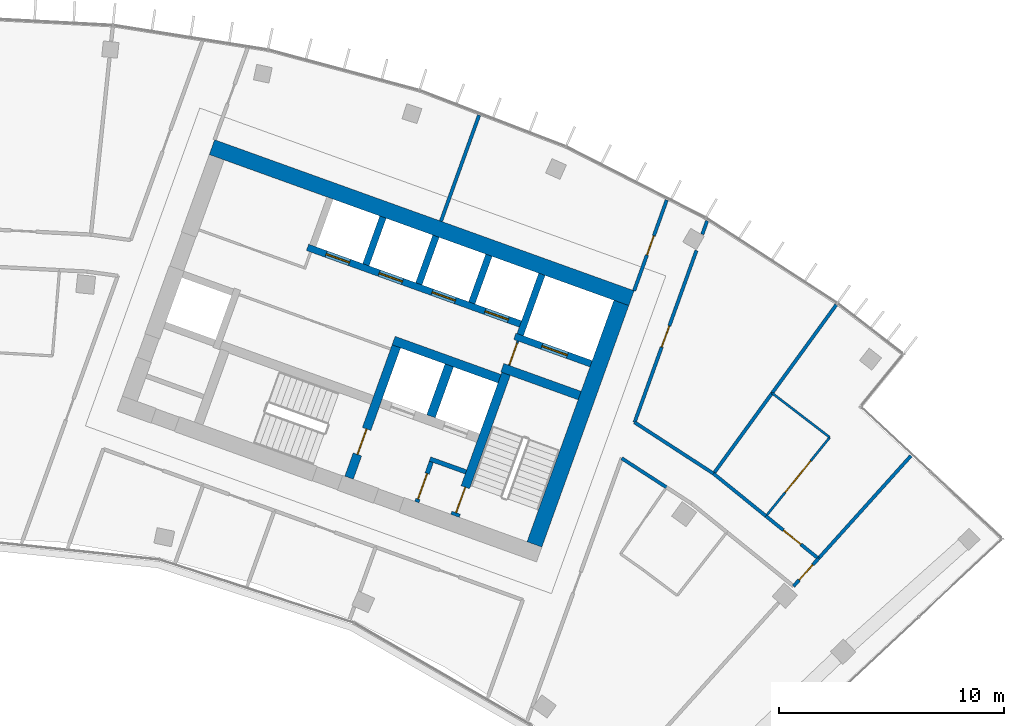
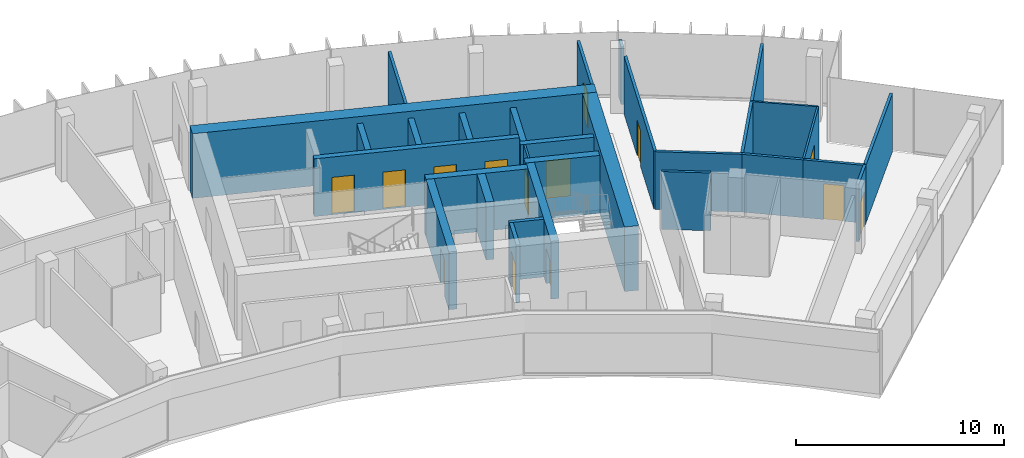
# One storey, part 17 of 19: 30 walls, 14 doors, 14 openings.
"""IFC4 building model written with IfcOpenShell, lengths in metres."""

import ifcopenshell
import ifcopenshell.guid

model = None  # the IFC model being written
_history = None  # IfcOwnerHistory: only IFC2X3 demands one
_inside = {}  # id of a spatial element -> (the spatial element, [elements in it])
_under = {}  # id of a project, library or spatial element -> (it, [spatial elements below it])
_declared = {}  # id of a project -> (the project, [libraries it declares])
_typed = {}  # id of a type object -> (the type object, [elements of that type])
_made_of = {}  # id of a material, layer set ... -> (it, [elements and type objects made of it])


def new_model(schema):
    """Start an empty IFC model of exactly this schema.

    Asked for "IFC4X3", IfcOpenShell would pick the latest addendum, in which some entities
    have other attributes; the version numbers below select the first issue.
    IFC2X3 requires an IfcOwnerHistory on every rooted entity: one is made here for all.
    """
    global model, _history
    if schema == "IFC4X3":
        model = ifcopenshell.file(schema_version=(4, 3, 0, 0))
    else:
        model = ifcopenshell.file(schema=schema)
    _inside.clear()
    _under.clear()
    _declared.clear()
    _typed.clear()
    _made_of.clear()
    _history = None
    if model.schema == "IFC2X3":
        org = make("IfcOrganization", Name="unknown")
        user = make(
            "IfcPersonAndOrganization",
            ThePerson=make("IfcPerson", FamilyName="unknown"),
            TheOrganization=org,
        )
        app = make(
            "IfcApplication",
            ApplicationDeveloper=org,
            Version="unknown",
            ApplicationFullName="unknown",
            ApplicationIdentifier="unknown",
        )
        _history = make(
            "IfcOwnerHistory",
            OwningUser=user,
            OwningApplication=app,
            ChangeAction="ADDED",
            CreationDate=0,
        )
    return model


def make(cls, **values):
    """One entity of the class cls with the attributes given. An attribute that is None is left unset."""
    return model.create_entity(
        cls, **{name: value for name, value in values.items() if value is not None}
    )


def rooted(cls, **values):
    """An entity with a GlobalId (a new one), such as an element, a storey or a relation."""
    return make(cls, GlobalId=ifcopenshell.guid.new(), OwnerHistory=_history, **values)


def si_unit(unit_type, name, prefix=None):
    """IfcSIUnit, for example si_unit("LENGTHUNIT", "METRE", prefix="MILLI")."""
    return make("IfcSIUnit", UnitType=unit_type, Prefix=prefix, Name=name)


def assignment(units):
    """IfcUnitAssignment: the units of a project."""
    return None if units is None else make("IfcUnitAssignment", Units=units)


def point(xyz):
    """IfcCartesianPoint."""
    return None if xyz is None else make("IfcCartesianPoint", Coordinates=xyz)


def direction(xyz):
    """IfcDirection."""
    return None if xyz is None else make("IfcDirection", DirectionRatios=xyz)


def frame(location, z_axis=None, x_axis=None):
    """IfcAxis2Placement3D, a coordinate frame: its origin and axes. An axis left out is left unset."""
    return make(
        "IfcAxis2Placement3D",
        Location=point(location),
        Axis=direction(z_axis),
        RefDirection=direction(x_axis),
    )


def frame_2d(location, x_axis=None):
    """IfcAxis2Placement2D, a coordinate frame in the plane: its origin and x axis."""
    return make(
        "IfcAxis2Placement2D", Location=point(location), RefDirection=direction(x_axis)
    )


def origin():
    """The frame at (0, 0, 0) with its axes left unset."""
    return frame((0.0, 0.0, 0.0))


def place(relative_to, where):
    """IfcLocalPlacement: puts the frame where relative to a parent placement (None: the world)."""
    return make(
        "IfcLocalPlacement", PlacementRelTo=relative_to, RelativePlacement=where
    )


def context(
    kind, dimensions, precision=None, world=None, true_north=None, identifier=None
):
    """IfcGeometricRepresentationContext, for example the 3D "Model" context."""
    return make(
        "IfcGeometricRepresentationContext",
        ContextIdentifier=identifier,
        ContextType=kind,
        CoordinateSpaceDimension=dimensions,
        Precision=precision,
        WorldCoordinateSystem=world,
        TrueNorth=true_north,
    )


def subcontext(parent, identifier, kind, view, scale=None):
    """IfcGeometricRepresentationSubContext, for example "Body" below "Model"."""
    return make(
        "IfcGeometricRepresentationSubContext",
        ContextIdentifier=identifier,
        ContextType=kind,
        ParentContext=parent,
        TargetScale=scale,
        TargetView=view,
    )


def project(units=None, contexts=None):
    """IfcProject with its units and contexts."""
    return rooted(
        "IfcProject",
        Name="project",
        RepresentationContexts=contexts,
        UnitsInContext=assignment(units),
    )


def spatial(cls, under=None, at=None, **own):
    """A site, building, storey or space (cls), placed at a placement, below another one or the project."""
    s = rooted(cls, ObjectPlacement=at, **own)
    if under is not None:
        _under.setdefault(under.id(), (under, []))[1].append(s)
    return s


def profile(cls, at=None, kind="AREA", **sizes):
    """A parametric profile (cls). Its sizes go by their IFC names, for example OverallWidth=200.0."""
    return make(cls, ProfileType=kind, Position=at, **sizes)


def rectangle(**sizes):
    """IfcRectangleProfileDef."""
    return profile("IfcRectangleProfileDef", **sizes)


def extrude(swept, where, along, depth):
    """IfcExtrudedAreaSolid: the profile swept, set in the frame where, extruded along a direction by depth."""
    return make(
        "IfcExtrudedAreaSolid",
        SweptArea=swept,
        Position=where,
        ExtrudedDirection=direction(along),
        Depth=depth,
    )


def shape(context_of_items, identifier, shape_type, items):
    """IfcShapeRepresentation: the items that make up one representation, for example the "Body"."""
    return make(
        "IfcShapeRepresentation",
        ContextOfItems=context_of_items,
        RepresentationIdentifier=identifier,
        RepresentationType=shape_type,
        Items=items,
    )


def material(Name=None, Category=None):
    """IfcMaterial."""
    return make("IfcMaterial", Name=Name, Category=Category)


def layer(
    of_material, thickness, ventilated=None, Name=None, Category=None, Priority=None
):
    """IfcMaterialLayer: one layer of a wall or slab, of a material (None: an air gap)."""
    return make(
        "IfcMaterialLayer",
        Material=of_material,
        LayerThickness=thickness,
        IsVentilated=ventilated,
        Name=Name,
        Category=Category,
        Priority=Priority,
    )


def layer_set(layers, Name=None):
    """IfcMaterialLayerSet."""
    return make("IfcMaterialLayerSet", MaterialLayers=layers, LayerSetName=Name)


def made_of(thing, what):
    """Note that an element or type object is made of a material, layer set ...; save() writes the relation."""
    if what is not None:
        _made_of.setdefault(what.id(), (what, []))[1].append(thing)
    return thing


def type_object(cls, material=None, **own):
    """A type object (cls), such as IfcWallType, which elements share."""
    return made_of(rooted(cls, **own), material)


def element(
    cls,
    number,
    at=None,
    inside=None,
    cuts=None,
    type_object=None,
    material=None,
    context=None,
    identifier="Body",
    shape_type=None,
    held_by="IfcProductDefinitionShape",
    body=None,
    shapes=None,
    **own,
):
    """One element of the class cls, such as IfcWall. Its Tag is "e" and its number.

    at: its placement. inside: the storey or other place that contains it. cuts: it is an
    opening in that element (IfcRelVoidsElement). A single representation is given by context,
    identifier, shape_type and body (its items); several are given by shapes. held_by: the class
    of the entity that holds the representations. save() writes the other relations.
    """
    e = rooted(cls, Tag="e%d" % number, ObjectPlacement=at, **own)
    if body is not None:
        shapes = [shape(context, identifier, shape_type, body)]
    if shapes is not None:
        e.Representation = make(held_by, Representations=shapes)
    if inside is not None:
        _inside.setdefault(inside.id(), (inside, []))[1].append(e)
    if cuts is not None:
        rooted(
            "IfcRelVoidsElement", RelatingBuildingElement=cuts, RelatedOpeningElement=e
        )
    if type_object is not None:
        _typed.setdefault(type_object.id(), (type_object, []))[1].append(e)
    return made_of(e, material)


def fill(opening, filler):
    """IfcRelFillsElement: the door or window that sits in an opening."""
    return rooted(
        "IfcRelFillsElement",
        RelatingOpeningElement=opening,
        RelatedBuildingElement=filler,
    )


def aggregate(whole, parts):
    """IfcRelAggregates: a whole, such as a stair, and the parts it consists of."""
    return rooted("IfcRelAggregates", RelatingObject=whole, RelatedObjects=parts)


def save(model, path):
    """Write the relations noted so far, then the file.

    IfcRelAggregates (storeys below a building ...), IfcRelContainedInSpatialStructure (elements
    in a storey), IfcRelDefinesByType, IfcRelAssociatesMaterial and IfcRelDeclares: one each for
    every whole, place, type object, material and project.
    """
    for whole, parts in _under.values():
        aggregate(whole, parts)
    for where, things in _inside.values():
        rooted(
            "IfcRelContainedInSpatialStructure",
            RelatedElements=things,
            RelatingStructure=where,
        )
    for kind, things in _typed.values():
        rooted("IfcRelDefinesByType", RelatedObjects=things, RelatingType=kind)
    for what, things in _made_of.values():
        rooted("IfcRelAssociatesMaterial", RelatedObjects=things, RelatingMaterial=what)
    for by, libraries in _declared.values():
        rooted("IfcRelDeclares", RelatingContext=by, RelatedDefinitions=libraries)
    model.write(path)


model = new_model("IFC4")

# Units and contexts
model_context = context("Model", 3, precision=1e-05, world=origin(), true_north=direction((0.0, 1.0)))
body_context = subcontext(model_context, "Body", "Model", "MODEL_VIEW")
ifc_project = project(units=[si_unit("LENGTHUNIT", "METRE"), si_unit("AREAUNIT", "SQUARE_METRE"), si_unit("VOLUMEUNIT", "CUBIC_METRE"), si_unit("PLANEANGLEUNIT", "RADIAN"), si_unit("MASSUNIT", "GRAM", prefix="KILO")], contexts=[model_context])

# Site, building, storey
site_placement = place(None, origin())
site = spatial("IfcSite", under=ifc_project, at=site_placement, CompositionType="ELEMENT")
building_placement = place(site_placement, origin())
building = spatial("IfcBuilding", under=site, at=building_placement, Name="Stone Belt Terrace Tower", CompositionType="ELEMENT")
storey_placement = place(building_placement, frame((0.0, 0.0, 303.60009765625)))
storey = spatial("IfcBuildingStorey", under=building, at=storey_placement, Name="L74", CompositionType="ELEMENT", Elevation=303.60009765625)

# Wall, opening, door
ifc_material_1 = material(Name="Plasterboard partition")
ifc_layer_1 = layer(ifc_material_1, 0.10009765625)
ifc_layer_set_1 = layer_set([ifc_layer_1], Name="Core partition 100")
wall_type_1 = type_object("IfcWallType", Name="Core partition 100", PredefinedType="PARTITIONING", material=ifc_layer_set_1)
wall_1_placement = place(storey_placement, frame((24.555908203125, 51.10400390625, 0.0), z_axis=(0.0, 0.0, 1.0), x_axis=(0.338621735342, 0.94092258999, 0.0)))
wall_1 = element("IfcWall", 1, at=wall_1_placement, inside=storey, type_object=wall_type_1, Name="Core B wall", PredefinedType="PARTITIONING", context=body_context, shape_type="SweptSolid", body=[
    extrude(rectangle(XDim=1.14990234375, YDim=0.10009765625, at=frame_2d((0.574951171875, 0.0))), origin(), (0.0, 0.0, 1.0), 3.39990234375),
])
opening_1_placement = place(wall_1_placement, frame((0.050048828125, 0.0, 0.0)))
opening_1 = element("IfcOpeningElement", 2, at=opening_1_placement, cuts=wall_1, Name="Opening L74-C14", PredefinedType="OPENING", context=body_context, shape_type="SweptSolid", body=[
    extrude(rectangle(XDim=1.0, YDim=2.10009765625, at=frame_2d((0.5, 1.050048828125))), frame((0.0, 0.06005859375, 0.0), z_axis=(0.0, -1.0, 0.0), x_axis=(1.0, 0.0, 0.0)), (0.0, 0.0, 1.0), 0.1201171875),
])
ifc_material_2 = material(Name="Timber door leaf", Category="wood")
door_type_1 = type_object("IfcDoorType", Name="Core room door 1000", OperationType="SINGLE_SWING_LEFT", PredefinedType="DOOR", material=ifc_material_2)
door_1_placement = place(opening_1_placement, origin())
door_1 = element("IfcDoor", 3, at=door_1_placement, inside=storey, type_object=door_type_1, Name="Service lift lobby door core B", OperationType="SINGLE_SWING_LEFT", OverallHeight=2.10009765625, OverallWidth=1.0, PredefinedType="DOOR", context=body_context, shape_type="SweptSolid", body=[
    extrude(rectangle(XDim=1.0, YDim=2.10009765625, at=frame_2d((0.5, 1.050048828125))), frame((0.0, 0.02490234375, 0.0), z_axis=(0.0, -1.0, 0.0), x_axis=(1.0, 0.0, 0.0)), (0.0, 0.0, 1.0), 0.050048828125),
])
fill(opening_1, door_1)

# Walls
ifc_material_3 = material(Name="Concrete B60", Category="concrete")
ifc_layer_2 = layer(ifc_material_3, 0.699951171875)
ifc_layer_set_2 = layer_set([ifc_layer_2], Name="Core wall 700 B60")
wall_type_2 = type_object("IfcWallType", Name="Core wall 700 B60", PredefinedType="SHEAR", material=ifc_layer_set_2)
wall_2_placement = place(storey_placement, frame((11.35791015625, 60.795654296875, 0.0), z_axis=(0.0, 0.0, 1.0), x_axis=(0.940919787944, -0.33862952124, 0.0)))
element("IfcWall", 4, at=wall_2_placement, inside=storey, type_object=wall_type_2, Name="Core B wall convex L74", PredefinedType="SHEAR", context=body_context, shape_type="SweptSolid", body=[
    extrude(rectangle(XDim=19.7998046875, YDim=0.699951171875, at=frame_2d((9.89990234375, 0.0))), origin(), (0.0, 0.0, 1.0), 3.7998046875),
])
wall_3_placement = place(storey_placement, frame((25.679931640625, 43.153564453125, 0.0), z_axis=(0.0, 0.0, 1.0), x_axis=(0.338625431531, 0.940921259788, 0.0)))
element("IfcWall", 5, at=wall_3_placement, inside=storey, type_object=wall_type_2, Name="Core B wall end_b L74", PredefinedType="SHEAR", context=body_context, shape_type="SweptSolid", body=[
    extrude(rectangle(XDim=11.400146484375, YDim=0.699951171875, at=frame_2d((5.7001953125, 0.0))), origin(), (0.0, 0.0, 1.0), 3.7998046875),
])
ifc_material_4 = material(Name="Concrete B80", Category="concrete")
ifc_layer_3 = layer(ifc_material_4, 0.39990234375)
ifc_layer_set_3 = layer_set([ifc_layer_3], Name="Fire-fighting lift shaft wall 400")
wall_type_3 = type_object("IfcWallType", Name="Fire-fighting lift shaft wall 400", PredefinedType="SHEAR", material=ifc_layer_set_3)
wall_4_placement = place(storey_placement, frame((24.130615234375, 50.512939453125, 0.0), z_axis=(0.0, 0.0, 1.0), x_axis=(-0.94091168377, 0.338652038744, 0.0)))
element("IfcWall", 6, at=wall_4_placement, inside=storey, type_object=wall_type_3, Name="Core B wall", PredefinedType="SHEAR", context=body_context, shape_type="SweptSolid", body=[
    extrude(rectangle(XDim=5.000244140625, YDim=0.39990234375, at=frame_2d((2.5, 0.0))), origin(), (0.0, 0.0, 1.0), 3.39990234375),
])
wall_5_placement = place(storey_placement, frame((21.0859375, 48.845458984375, 0.0), z_axis=(0.0, 0.0, 1.0), x_axis=(0.338629416206, 0.940919825745, 0.0)))
element("IfcWall", 7, at=wall_5_placement, inside=storey, type_object=wall_type_3, Name="Core B wall", PredefinedType="SHEAR", context=body_context, shape_type="SweptSolid", body=[
    extrude(rectangle(XDim=2.400146484375, YDim=0.39990234375, at=frame_2d((1.2001953125, 0.0))), origin(), (0.0, 0.0, 1.0), 3.39990234375),
])

# Wall, opening, door
ifc_layer_4 = layer(ifc_material_4, 0.300048828125)
ifc_layer_set_4 = layer_set([ifc_layer_4], Name="Lift shaft wall 300")
wall_type_4 = type_object("IfcWallType", Name="Lift shaft wall 300", PredefinedType="SHEAR", material=ifc_layer_set_4)
wall_6_placement = place(storey_placement, frame((28.195068359375, 51.17578125, 0.0), z_axis=(0.0, 0.0, 1.0), x_axis=(-0.940901243567, 0.338681044427, 0.0)))
wall_6 = element("IfcWall", 8, at=wall_6_placement, inside=storey, type_object=wall_type_4, Name="Core B wall", PredefinedType="SHEAR", context=body_context, shape_type="SweptSolid", body=[
    extrude(rectangle(XDim=3.599853515625, YDim=0.300048828125, at=frame_2d((1.7998046875, 0.0))), origin(), (0.0, 0.0, 1.0), 3.39990234375),
])
opening_2_placement = place(wall_6_placement, frame((1.1201171875, 0.0, 0.0)))
opening_2 = element("IfcOpeningElement", 9, at=opening_2_placement, cuts=wall_6, Name="Opening L74-LD14", PredefinedType="OPENING", context=body_context, shape_type="SweptSolid", body=[
    extrude(rectangle(XDim=1.199951171875, YDim=2.199951171875, at=frame_2d((0.60009765625, 1.10009765625))), frame((0.0, 0.159912109375, 0.0), z_axis=(0.0, -1.0, 0.0), x_axis=(1.0, 0.0, 0.0)), (0.0, 0.0, 1.0), 0.320068359375),
])
ifc_material_5 = material(Name="Stainless steel door leaf", Category="steel")
door_type_2 = type_object("IfcDoorType", Name="Landing door 1200", OperationType="SLIDING_TO_LEFT", PredefinedType="DOOR", material=ifc_material_5)
door_2_placement = place(opening_2_placement, origin())
door_2 = element("IfcDoor", 10, at=door_2_placement, inside=storey, type_object=door_type_2, Name="Landing door SV1 core B", OperationType="SLIDING_TO_LEFT", OverallHeight=2.199951171875, OverallWidth=1.199951171875, PredefinedType="DOOR", context=body_context, shape_type="SweptSolid", body=[
    extrude(rectangle(XDim=1.199951171875, YDim=2.199951171875, at=frame_2d((0.60009765625, 1.10009765625))), frame((0.0, 0.02490234375, 0.0), z_axis=(0.0, -1.0, 0.0), x_axis=(1.0, 0.0, 0.0)), (0.0, 0.0, 1.0), 0.050048828125),
])
fill(opening_2, door_2)

# Wall
wall_7_placement = place(storey_placement, frame((25.046875, 52.46826171875, 0.0), z_axis=(0.0, 0.0, 1.0), x_axis=(0.338549588058, 0.940948551423, 0.0)))
element("IfcWall", 11, at=wall_7_placement, inside=storey, type_object=wall_type_4, Name="Core B wall", PredefinedType="SHEAR", context=body_context, shape_type="SweptSolid", body=[
    extrude(rectangle(XDim=2.849853515625, YDim=0.300048828125, at=frame_2d((1.4248046875, 0.0))), origin(), (0.0, 0.0, 1.0), 3.39990234375),
])

# Wall, openings, doors
wall_8_placement = place(storey_placement, frame((25.05810546875, 52.9423828125, 0.0), z_axis=(0.0, 0.0, 1.0), x_axis=(-0.940917446785, 0.338636026339, 0.0)))
wall_8 = element("IfcWall", 12, at=wall_8_placement, inside=storey, type_object=wall_type_4, Name="Core B wall", PredefinedType="SHEAR", context=body_context, shape_type="SweptSolid", body=[
    extrude(rectangle(XDim=10.050048828125, YDim=0.300048828125, at=frame_2d((5.02490234375, 0.0))), origin(), (0.0, 0.0, 1.0), 3.39990234375),
])
opening_3_placement = place(wall_8_placement, frame((0.570068359375, 0.0, 0.0)))
opening_3 = element("IfcOpeningElement", 13, at=opening_3_placement, cuts=wall_8, Name="Opening L74-LD08", PredefinedType="OPENING", context=body_context, shape_type="SweptSolid", body=[
    extrude(rectangle(XDim=1.10009765625, YDim=2.199951171875, at=frame_2d((0.550048828125, 1.10009765625))), frame((0.0, 0.159912109375, 0.0), z_axis=(0.0, -1.0, 0.0), x_axis=(1.0, 0.0, 0.0)), (0.0, 0.0, 1.0), 0.320068359375),
])
opening_4_placement = place(wall_8_placement, frame((3.070068359375, 0.0, 0.0)))
opening_4 = element("IfcOpeningElement", 14, at=opening_4_placement, cuts=wall_8, Name="Opening L74-LD09", PredefinedType="OPENING", context=body_context, shape_type="SweptSolid", body=[
    extrude(rectangle(XDim=1.10009765625, YDim=2.199951171875, at=frame_2d((0.550048828125, 1.10009765625))), frame((0.0, 0.159912109375, 0.0), z_axis=(0.0, -1.0, 0.0), x_axis=(1.0, 0.0, 0.0)), (0.0, 0.0, 1.0), 0.320068359375),
])
opening_5_placement = place(wall_8_placement, frame((5.570068359375, 0.0, 0.0)))
opening_5 = element("IfcOpeningElement", 15, at=opening_5_placement, cuts=wall_8, Name="Opening L74-LD10", PredefinedType="OPENING", context=body_context, shape_type="SweptSolid", body=[
    extrude(rectangle(XDim=1.10009765625, YDim=2.199951171875, at=frame_2d((0.550048828125, 1.10009765625))), frame((0.0, 0.159912109375, 0.0), z_axis=(0.0, -1.0, 0.0), x_axis=(1.0, 0.0, 0.0)), (0.0, 0.0, 1.0), 0.320068359375),
])
opening_6_placement = place(wall_8_placement, frame((8.070068359375, 0.0, 0.0)))
opening_6 = element("IfcOpeningElement", 16, at=opening_6_placement, cuts=wall_8, Name="Opening L74-LD11", PredefinedType="OPENING", context=body_context, shape_type="SweptSolid", body=[
    extrude(rectangle(XDim=1.10009765625, YDim=2.199951171875, at=frame_2d((0.550048828125, 1.10009765625))), frame((0.0, 0.159912109375, 0.0), z_axis=(0.0, -1.0, 0.0), x_axis=(1.0, 0.0, 0.0)), (0.0, 0.0, 1.0), 0.320068359375),
])
door_type_3 = type_object("IfcDoorType", Name="Landing door 1100", OperationType="SLIDING_TO_LEFT", PredefinedType="DOOR", material=ifc_material_5)
door_3_placement = place(opening_3_placement, origin())
door_3 = element("IfcDoor", 17, at=door_3_placement, inside=storey, type_object=door_type_3, Name="Landing door HR1 core B", OperationType="SLIDING_TO_LEFT", OverallHeight=2.199951171875, OverallWidth=1.10009765625, PredefinedType="DOOR", context=body_context, shape_type="SweptSolid", body=[
    extrude(rectangle(XDim=1.10009765625, YDim=2.199951171875, at=frame_2d((0.550048828125, 1.10009765625))), frame((0.0, 0.02490234375, 0.0), z_axis=(0.0, -1.0, 0.0), x_axis=(1.0, 0.0, 0.0)), (0.0, 0.0, 1.0), 0.050048828125),
])
fill(opening_3, door_3)
door_4_placement = place(opening_4_placement, origin())
door_4 = element("IfcDoor", 18, at=door_4_placement, inside=storey, type_object=door_type_3, Name="Landing door HR2 core B", OperationType="SLIDING_TO_LEFT", OverallHeight=2.199951171875, OverallWidth=1.10009765625, PredefinedType="DOOR", context=body_context, shape_type="SweptSolid", body=[
    extrude(rectangle(XDim=1.10009765625, YDim=2.199951171875, at=frame_2d((0.550048828125, 1.10009765625))), frame((0.0, 0.02490234375, 0.0), z_axis=(0.0, -1.0, 0.0), x_axis=(1.0, 0.0, 0.0)), (0.0, 0.0, 1.0), 0.050048828125),
])
fill(opening_4, door_4)
door_5_placement = place(opening_5_placement, origin())
door_5 = element("IfcDoor", 19, at=door_5_placement, inside=storey, type_object=door_type_3, Name="Landing door HR3 core B", OperationType="SLIDING_TO_LEFT", OverallHeight=2.199951171875, OverallWidth=1.10009765625, PredefinedType="DOOR", context=body_context, shape_type="SweptSolid", body=[
    extrude(rectangle(XDim=1.10009765625, YDim=2.199951171875, at=frame_2d((0.550048828125, 1.10009765625))), frame((0.0, 0.02490234375, 0.0), z_axis=(0.0, -1.0, 0.0), x_axis=(1.0, 0.0, 0.0)), (0.0, 0.0, 1.0), 0.050048828125),
])
fill(opening_5, door_5)
door_6_placement = place(opening_6_placement, origin())
door_6 = element("IfcDoor", 20, at=door_6_placement, inside=storey, type_object=door_type_3, Name="Landing door HR4 core B", OperationType="SLIDING_TO_LEFT", OverallHeight=2.199951171875, OverallWidth=1.10009765625, PredefinedType="DOOR", context=body_context, shape_type="SweptSolid", body=[
    extrude(rectangle(XDim=1.10009765625, YDim=2.199951171875, at=frame_2d((0.550048828125, 1.10009765625))), frame((0.0, 0.02490234375, 0.0), z_axis=(0.0, -1.0, 0.0), x_axis=(1.0, 0.0, 0.0)), (0.0, 0.0, 1.0), 0.050048828125),
])
fill(opening_6, door_6)

# Walls
wall_9_placement = place(storey_placement, frame((22.897705078125, 53.87939453125, 0.0), z_axis=(0.0, 0.0, 1.0), x_axis=(0.338535034312, 0.940953787677, 0.0)))
element("IfcWall", 21, at=wall_9_placement, inside=storey, type_object=wall_type_4, Name="Core B wall", PredefinedType="SHEAR", context=body_context, shape_type="SweptSolid", body=[
    extrude(rectangle(XDim=2.25, YDim=0.300048828125, at=frame_2d((1.125, 0.0))), origin(), (0.0, 0.0, 1.0), 3.39990234375),
])
wall_10_placement = place(storey_placement, frame((20.54541015625, 54.72607421875, 0.0), z_axis=(0.0, 0.0, 1.0), x_axis=(0.338569601369, 0.940941350472, 0.0)))
element("IfcWall", 22, at=wall_10_placement, inside=storey, type_object=wall_type_4, Name="Core B wall", PredefinedType="SHEAR", context=body_context, shape_type="SweptSolid", body=[
    extrude(rectangle(XDim=2.249755859375, YDim=0.300048828125, at=frame_2d((1.125, 0.0))), origin(), (0.0, 0.0, 1.0), 3.39990234375),
])
wall_11_placement = place(storey_placement, frame((18.193115234375, 55.572509765625, 0.0), z_axis=(0.0, 0.0, 1.0), x_axis=(0.338535034312, 0.940953787677, 0.0)))
element("IfcWall", 23, at=wall_11_placement, inside=storey, type_object=wall_type_4, Name="Core B wall", PredefinedType="SHEAR", context=body_context, shape_type="SweptSolid", body=[
    extrude(rectangle(XDim=2.25, YDim=0.300048828125, at=frame_2d((1.125, 0.0))), origin(), (0.0, 0.0, 1.0), 3.39990234375),
])

# Wall, opening, door
ifc_material_6 = material(Name="Gypsum board partition")
ifc_layer_5 = layer(ifc_material_6, 0.10009765625)
ifc_layer_set_5 = layer_set([ifc_layer_5], Name="PARTITION 100")
wall_type_5 = type_object("IfcWallType", Name="PARTITION 100", PredefinedType="PARTITIONING", material=ifc_layer_set_5)
wall_12_placement = place(storey_placement, frame((35.964111328125, 44.410888671875, 0.0), z_axis=(0.0, 0.0, 1.0), x_axis=(0.629177935628, 0.777261297968, 0.0)))
wall_12 = element("IfcWall", 24, at=wall_12_placement, inside=storey, type_object=wall_type_5, Name="L74/wall/i083", PredefinedType="PARTITIONING", context=body_context, shape_type="SweptSolid", body=[
    extrude(rectangle(XDim=4.499267578125, YDim=0.10009765625, at=frame_2d((2.24951171875, 0.0))), origin(), (0.0, 0.0, 1.0), 3.39990234375),
])
opening_7_placement = place(wall_12_placement, frame((1.349609375, 0.0, 0.0)))
opening_7 = element("IfcOpeningElement", 25, at=opening_7_placement, cuts=wall_12, Name="Opening D-E5-26", PredefinedType="OPENING", context=body_context, shape_type="SweptSolid", body=[
    extrude(rectangle(XDim=1.800048828125, YDim=2.10009765625, at=frame_2d((0.89990234375, 1.050048828125))), frame((0.0, 0.06005859375, 0.0), z_axis=(0.0, -1.0, 0.0), x_axis=(1.0, 0.0, 0.0)), (0.0, 0.0, 1.0), 0.1201171875),
])
door_type_4 = type_object("IfcDoorType", Name="DOUBLE DOOR 1800 X 2100", OperationType="DOUBLE_DOOR_SINGLE_SWING", PredefinedType="DOOR", material=ifc_material_2)
door_7_placement = place(opening_7_placement, origin())
door_7 = element("IfcDoor", 26, at=door_7_placement, inside=storey, type_object=door_type_4, Name="L74/door/i26", OperationType="DOUBLE_DOOR_SINGLE_SWING", OverallHeight=2.10009765625, OverallWidth=1.800048828125, PredefinedType="DOOR", context=body_context, shape_type="SweptSolid", body=[
    extrude(rectangle(XDim=1.800048828125, YDim=2.10009765625, at=frame_2d((0.89990234375, 1.050048828125))), frame((0.0, 0.02490234375, 0.0), z_axis=(0.0, -1.0, 0.0), x_axis=(1.0, 0.0, 0.0)), (0.0, 0.0, 1.0), 0.050048828125),
])
fill(opening_7, door_7)

# Wall
wall_13_placement = place(storey_placement, frame((38.794921875, 47.907958984375, 0.0), z_axis=(0.0, 0.0, 1.0), x_axis=(-0.793222644021, 0.608931717857, 0.0)))
element("IfcWall", 27, at=wall_13_placement, inside=storey, type_object=wall_type_5, Name="L74/wall/i084", PredefinedType="PARTITIONING", context=body_context, shape_type="SweptSolid", body=[
    extrude(rectangle(XDim=3.22705078125, YDim=0.10009765625, at=frame_2d((1.613525390625, 0.0))), origin(), (0.0, 0.0, 1.0), 3.39990234375),
])

# Wall, opening, door
ifc_layer_6 = layer(ifc_material_6, 0.14990234375)
ifc_layer_set_6 = layer_set([ifc_layer_6], Name="PARTITION 150 EI 60")
wall_type_6 = type_object("IfcWallType", Name="PARTITION 150 EI 60", PredefinedType="PARTITIONING", material=ifc_layer_set_6)
wall_14_placement = place(storey_placement, frame((30.10595703125, 54.419921875, 0.0), z_axis=(0.0, 0.0, 1.0), x_axis=(0.338580264222, 0.940937513695, 0.0)))
wall_14 = element("IfcWall", 28, at=wall_14_placement, inside=storey, type_object=wall_type_6, Name="L74/wall/i028", PredefinedType="PARTITIONING", context=body_context, shape_type="SweptSolid", body=[
    extrude(rectangle(XDim=4.285400390625, YDim=0.14990234375, at=frame_2d((2.142578125, 0.0))), origin(), (0.0, 0.0, 1.0), 3.39990234375),
])
opening_8_placement = place(wall_14_placement, frame((1.692626953125, 0.0, 0.0)))
opening_8 = element("IfcOpeningElement", 29, at=opening_8_placement, cuts=wall_14, Name="Opening D-E5-12", PredefinedType="OPENING", context=body_context, shape_type="SweptSolid", body=[
    extrude(rectangle(XDim=0.89990234375, YDim=2.10009765625, at=frame_2d((0.449951171875, 1.050048828125))), frame((0.0, 0.0849609375, 0.0), z_axis=(0.0, -1.0, 0.0), x_axis=(1.0, 0.0, 0.0)), (0.0, 0.0, 1.0), 0.169921875),
])
door_type_5 = type_object("IfcDoorType", Name="OFFICE DOOR 900 X 2100", OperationType="NOTDEFINED", PredefinedType="DOOR", material=ifc_material_2)
door_8_placement = place(opening_8_placement, origin())
door_8 = element("IfcDoor", 30, at=door_8_placement, inside=storey, type_object=door_type_5, Name="L74/door/i12", OperationType="SINGLE_SWING_RIGHT", OverallHeight=2.10009765625, OverallWidth=0.89990234375, PredefinedType="DOOR", context=body_context, shape_type="SweptSolid", body=[
    extrude(rectangle(XDim=0.89990234375, YDim=2.10009765625, at=frame_2d((0.449951171875, 1.050048828125))), frame((0.0, 0.02490234375, 0.0), z_axis=(0.0, -1.0, 0.0), x_axis=(1.0, 0.0, 0.0)), (0.0, 0.0, 1.0), 0.050048828125),
])
fill(opening_8, door_8)

# Wall
wall_15_placement = place(storey_placement, frame((33.348876953125, 57.523193359375, 0.0), z_axis=(0.0, 0.0, 1.0), x_axis=(-0.338733145318, -0.94088248802, 0.0)))
element("IfcWall", 31, at=wall_15_placement, inside=storey, type_object=wall_type_6, Name="L74/wall/i031", PredefinedType="PARTITIONING", context=body_context, shape_type="SweptSolid", body=[
    extrude(rectangle(XDim=0.632080078125, YDim=0.14990234375, at=frame_2d((0.31591796875, 0.0))), origin(), (0.0, 0.0, 1.0), 3.39990234375),
])

# Wall, opening, door
wall_16_placement = place(storey_placement, frame((32.875244140625, 56.20703125, 0.0), z_axis=(0.0, 0.0, 1.0), x_axis=(-0.338638537247, -0.940916543106, 0.0)))
wall_16 = element("IfcWall", 32, at=wall_16_placement, inside=storey, type_object=wall_type_6, Name="L74/wall/i032", PredefinedType="PARTITIONING", context=body_context, shape_type="SweptSolid", body=[
    extrude(rectangle(XDim=8.11865234375, YDim=0.14990234375, at=frame_2d((4.059326171875, 0.0))), origin(), (0.0, 0.0, 1.0), 3.39990234375),
])
opening_9_placement = place(wall_16_placement, frame((3.559326171875, 0.0, 0.0)))
opening_9 = element("IfcOpeningElement", 33, at=opening_9_placement, cuts=wall_16, Name="Opening D-E5-24", PredefinedType="OPENING", context=body_context, shape_type="SweptSolid", body=[
    extrude(rectangle(XDim=1.0, YDim=2.10009765625, at=frame_2d((0.5, 1.050048828125))), frame((0.0, 0.0849609375, 0.0), z_axis=(0.0, -1.0, 0.0), x_axis=(1.0, 0.0, 0.0)), (0.0, 0.0, 1.0), 0.169921875),
])
ifc_material_7 = material(Name="Timber fire door leaf", Category="wood")
door_type_6 = type_object("IfcDoorType", Name="TENANCY ENTRANCE DOOR 1000 X 2100", OperationType="NOTDEFINED", PredefinedType="DOOR", material=ifc_material_7)
door_9_placement = place(opening_9_placement, origin())
door_9 = element("IfcDoor", 34, at=door_9_placement, inside=storey, type_object=door_type_6, Name="L74/door/i24", OperationType="SINGLE_SWING_RIGHT", OverallHeight=2.10009765625, OverallWidth=1.0, PredefinedType="DOOR", context=body_context, shape_type="SweptSolid", body=[
    extrude(rectangle(XDim=1.0, YDim=2.10009765625, at=frame_2d((0.5, 1.050048828125))), frame((0.0, 0.02490234375, 0.0), z_axis=(0.0, -1.0, 0.0), x_axis=(1.0, 0.0, 0.0)), (0.0, 0.0, 1.0), 0.050048828125),
])
fill(opening_9, door_9)

# Wall
wall_17_placement = place(storey_placement, frame((23.222900390625, 62.218994140625, 0.0), z_axis=(0.0, 0.0, 1.0), x_axis=(-0.33852260732, -0.94095825855, 0.0)))
element("IfcWall", 35, at=wall_17_placement, inside=storey, type_object=wall_type_6, Name="L74/wall/i041", PredefinedType="PARTITIONING", context=body_context, shape_type="SweptSolid", body=[
    extrude(rectangle(XDim=5.006591796875, YDim=0.14990234375, at=frame_2d((2.50341796875, 0.0))), origin(), (0.0, 0.0, 1.0), 3.39990234375),
])

# Wall, opening, door
wall_18_placement = place(storey_placement, frame((38.294921875, 42.530029296875, 0.0), z_axis=(0.0, 0.0, 1.0), x_axis=(-0.669037778615, -0.743228397456, 0.0)))
wall_18 = element("IfcWall", 36, at=wall_18_placement, inside=storey, type_object=wall_type_6, Name="L74/wall/i067", PredefinedType="PARTITIONING", context=body_context, shape_type="SweptSolid", body=[
    extrude(rectangle(XDim=1.661865234375, YDim=0.14990234375, at=frame_2d((0.8310546875, 0.0))), origin(), (0.0, 0.0, 1.0), 3.39990234375),
])
opening_10_placement = place(wall_18_placement, frame((0.380859375, 0.0, 0.0)))
opening_10 = element("IfcOpeningElement", 37, at=opening_10_placement, cuts=wall_18, Name="Opening D-E5-21", PredefinedType="OPENING", context=body_context, shape_type="SweptSolid", body=[
    extrude(rectangle(XDim=0.89990234375, YDim=2.10009765625, at=frame_2d((0.449951171875, 1.050048828125))), frame((0.0, 0.0849609375, 0.0), z_axis=(0.0, -1.0, 0.0), x_axis=(1.0, 0.0, 0.0)), (0.0, 0.0, 1.0), 0.169921875),
])
door_10_placement = place(opening_10_placement, origin())
door_10 = element("IfcDoor", 38, at=door_10_placement, inside=storey, type_object=door_type_5, Name="L74/door/i21", OperationType="SINGLE_SWING_RIGHT", OverallHeight=2.10009765625, OverallWidth=0.89990234375, PredefinedType="DOOR", context=body_context, shape_type="SweptSolid", body=[
    extrude(rectangle(XDim=0.89990234375, YDim=2.10009765625, at=frame_2d((0.449951171875, 1.050048828125))), frame((0.0, 0.02490234375, 0.0), z_axis=(0.0, -1.0, 0.0), x_axis=(1.0, 0.0, 0.0)), (0.0, 0.0, 1.0), 0.050048828125),
])
fill(opening_10, door_10)

# Walls
wall_19_placement = place(storey_placement, frame((38.287109375, 42.52099609375, 0.0), z_axis=(0.0, 0.0, 1.0), x_axis=(0.669070076375, 0.743199322457, 0.0)))
element("IfcWall", 39, at=wall_19_placement, inside=storey, type_object=wall_type_6, Name="L74/wall/i069", PredefinedType="PARTITIONING", context=body_context, shape_type="SweptSolid", body=[
    extrude(rectangle(XDim=6.1455078125, YDim=0.14990234375, at=frame_2d((3.07275390625, 0.0))), origin(), (0.0, 0.0, 1.0), 3.39990234375),
])
wall_20_placement = place(storey_placement, frame((31.549072265625, 45.68603515625, 0.0), z_axis=(0.0, 0.0, 1.0), x_axis=(-0.838687509275, 0.544612946767, 0.0)))
element("IfcWall", 40, at=wall_20_placement, inside=storey, type_object=wall_type_6, Name="L74/wall/i070", PredefinedType="PARTITIONING", context=body_context, shape_type="SweptSolid", body=[
    extrude(rectangle(XDim=2.377685546875, YDim=0.14990234375, at=frame_2d((1.18896484375, 0.0))), origin(), (0.0, 0.0, 1.0), 3.39990234375),
])
wall_21_placement = place(storey_placement, frame((30.1279296875, 48.573974609375, 0.0), z_axis=(0.0, 0.0, 1.0), x_axis=(0.838679571288, -0.544625170832, 0.0)))
element("IfcWall", 41, at=wall_21_placement, inside=storey, type_object=wall_type_6, Name="L74/wall/i074", PredefinedType="PARTITIONING", context=body_context, shape_type="SweptSolid", body=[
    extrude(rectangle(XDim=4.182861328125, YDim=0.14990234375, at=frame_2d((2.09130859375, 0.0))), origin(), (0.0, 0.0, 1.0), 3.39990234375),
])

# Wall, opening, door
wall_22_placement = place(storey_placement, frame((35.958984375, 44.4140625, 0.0), z_axis=(0.0, 0.0, 1.0), x_axis=(0.777188024259, -0.629268444265, 0.0)))
wall_22 = element("IfcWall", 42, at=wall_22_placement, inside=storey, type_object=wall_type_6, Name="L74/wall/i075", PredefinedType="PARTITIONING", context=body_context, shape_type="SweptSolid", body=[
    extrude(rectangle(XDim=3.00048828125, YDim=0.14990234375, at=frame_2d((1.500244140625, 0.0))), origin(), (0.0, 0.0, 1.0), 3.39990234375),
])
opening_11_placement = place(wall_22_placement, frame((1.000244140625, 0.0, 0.0)))
opening_11 = element("IfcOpeningElement", 43, at=opening_11_placement, cuts=wall_22, Name="Opening D-E5-25", PredefinedType="OPENING", context=body_context, shape_type="SweptSolid", body=[
    extrude(rectangle(XDim=1.0, YDim=2.10009765625, at=frame_2d((0.5, 1.050048828125))), frame((0.0, 0.0849609375, 0.0), z_axis=(0.0, -1.0, 0.0), x_axis=(1.0, 0.0, 0.0)), (0.0, 0.0, 1.0), 0.169921875),
])
door_11_placement = place(opening_11_placement, origin())
door_11 = element("IfcDoor", 44, at=door_11_placement, inside=storey, type_object=door_type_6, Name="L74/door/i25", OperationType="SINGLE_SWING_RIGHT", OverallHeight=2.10009765625, OverallWidth=1.0, PredefinedType="DOOR", context=body_context, shape_type="SweptSolid", body=[
    extrude(rectangle(XDim=1.0, YDim=2.10009765625, at=frame_2d((0.5, 1.050048828125))), frame((0.0, 0.02490234375, 0.0), z_axis=(0.0, -1.0, 0.0), x_axis=(1.0, 0.0, 0.0)), (0.0, 0.0, 1.0), 0.050048828125),
])
fill(opening_11, door_11)

# Walls
wall_23_placement = place(storey_placement, frame((33.635986328125, 46.2958984375, 0.0), z_axis=(0.0, 0.0, 1.0), x_axis=(0.777068653144, -0.629415846878, 0.0)))
element("IfcWall", 45, at=wall_23_placement, inside=storey, type_object=wall_type_6, Name="L74/wall/i076", PredefinedType="PARTITIONING", context=body_context, shape_type="SweptSolid", body=[
    extrude(rectangle(XDim=3.0009765625, YDim=0.14990234375, at=frame_2d((1.50048828125, 0.0))), origin(), (0.0, 0.0, 1.0), 3.39990234375),
])
wall_24_placement = place(storey_placement, frame((39.087890625, 53.7998046875, 0.0), z_axis=(0.0, 0.0, 1.0), x_axis=(-0.587819200651, -0.808992328361, 0.0)))
element("IfcWall", 46, at=wall_24_placement, inside=storey, type_object=wall_type_6, Name="L74/wall/i081", PredefinedType="PARTITIONING", context=body_context, shape_type="SweptSolid", body=[
    extrude(rectangle(XDim=4.860107421875, YDim=0.14990234375, at=frame_2d((2.43017578125, 0.0))), origin(), (0.0, 0.0, 1.0), 3.39990234375),
])
wall_25_placement = place(storey_placement, frame((36.238037109375, 49.8779296875, 0.0), z_axis=(0.0, 0.0, 1.0), x_axis=(-0.587719131072, -0.809065030126, 0.0)))
element("IfcWall", 47, at=wall_25_placement, inside=storey, type_object=wall_type_6, Name="L74/wall/i082", PredefinedType="PARTITIONING", context=body_context, shape_type="SweptSolid", body=[
    extrude(rectangle(XDim=4.427490234375, YDim=0.14990234375, at=frame_2d((2.2138671875, 0.0))), origin(), (0.0, 0.0, 1.0), 3.39990234375),
])
ifc_material_8 = material(Name="Concrete masonry block", Category="masonry")
ifc_layer_7 = layer(ifc_material_8, 0.199951171875)
ifc_layer_set_7 = layer_set([ifc_layer_7], Name="Rated lobby wall 200")
wall_type_7 = type_object("IfcWallType", Name="Rated lobby wall 200", PredefinedType="PARTITIONING", material=ifc_layer_set_7)
wall_26_placement = place(storey_placement, frame((22.640625, 46.373046875, 0.0), z_axis=(0.0, 0.0, 1.0), x_axis=(-0.940966110313, 0.338500781747, 0.0)))
element("IfcWall", 48, at=wall_26_placement, inside=storey, type_object=wall_type_7, Name="Core B wall", PredefinedType="PARTITIONING", context=body_context, shape_type="SweptSolid", body=[
    extrude(rectangle(XDim=1.699951171875, YDim=0.199951171875, at=frame_2d((0.85009765625, 0.0))), origin(), (0.0, 0.0, 1.0), 3.39990234375),
])

# Wall, opening, door
wall_27_placement = place(storey_placement, frame((20.4580078125, 45.032958984375, 0.0), z_axis=(0.0, 0.0, 1.0), x_axis=(0.338573865316, 0.940939816208, 0.0)))
wall_27 = element("IfcWall", 49, at=wall_27_placement, inside=storey, type_object=wall_type_7, Name="Core B wall", PredefinedType="PARTITIONING", context=body_context, shape_type="SweptSolid", body=[
    extrude(rectangle(XDim=1.900146484375, YDim=0.199951171875, at=frame_2d((0.9501953125, 0.0))), origin(), (0.0, 0.0, 1.0), 3.39990234375),
])
opening_12_placement = place(wall_27_placement, frame((0.14990234375, 0.0, 0.0)))
opening_12 = element("IfcOpeningElement", 50, at=opening_12_placement, cuts=wall_27, Name="Opening L74-C17", PredefinedType="OPENING", context=body_context, shape_type="SweptSolid", body=[
    extrude(rectangle(XDim=1.199951171875, YDim=2.10009765625, at=frame_2d((0.60009765625, 1.050048828125))), frame((0.0, 0.10986328125, 0.0), z_axis=(0.0, -1.0, 0.0), x_axis=(1.0, 0.0, 0.0)), (0.0, 0.0, 1.0), 0.219970703125),
])
ifc_material_9 = material(Name="Steel door leaf", Category="steel")
door_type_7 = type_object("IfcDoorType", Name="Stair door 1200", OperationType="SINGLE_SWING_LEFT", PredefinedType="DOOR", material=ifc_material_9)
door_12_placement = place(opening_12_placement, origin())
door_12 = element("IfcDoor", 51, at=door_12_placement, inside=storey, type_object=door_type_7, Name="Stair airlock door core B", OperationType="SINGLE_SWING_LEFT", OverallHeight=2.10009765625, OverallWidth=1.199951171875, PredefinedType="DOOR", context=body_context, shape_type="SweptSolid", body=[
    extrude(rectangle(XDim=1.199951171875, YDim=2.10009765625, at=frame_2d((0.60009765625, 1.050048828125))), frame((0.0, 0.02490234375, 0.0), z_axis=(0.0, -1.0, 0.0), x_axis=(1.0, 0.0, 0.0)), (0.0, 0.0, 1.0), 0.050048828125),
])
fill(opening_12, door_12)

# Wall
ifc_layer_8 = layer(ifc_material_4, 0.39990234375)
ifc_layer_set_8 = layer_set([ifc_layer_8], Name="Stair enclosure wall 400")
wall_type_8 = type_object("IfcWallType", Name="Stair enclosure wall 400", PredefinedType="SHEAR", material=ifc_layer_set_8)
wall_28_placement = place(storey_placement, frame((27.687255859375, 49.764404296875, 0.0), z_axis=(0.0, 0.0, 1.0), x_axis=(-0.940918954884, 0.338631835981, 0.0)))
element("IfcWall", 52, at=wall_28_placement, inside=storey, type_object=wall_type_8, Name="Core B wall", PredefinedType="SHEAR", context=body_context, shape_type="SweptSolid", body=[
    extrude(rectangle(XDim=3.650146484375, YDim=0.39990234375, at=frame_2d((1.8251953125, 0.0))), origin(), (0.0, 0.0, 1.0), 3.39990234375),
])

# Wall, opening, door
wall_29_placement = place(storey_placement, frame((22.151611328125, 44.42333984375, 0.0), z_axis=(0.0, 0.0, 1.0), x_axis=(0.338625272931, 0.940921316866, 0.0)))
wall_29 = element("IfcWall", 53, at=wall_29_placement, inside=storey, type_object=wall_type_8, Name="Core B wall", PredefinedType="SHEAR", context=body_context, shape_type="SweptSolid", body=[
    extrude(rectangle(XDim=6.699951171875, YDim=0.39990234375, at=frame_2d((3.35009765625, 0.0))), origin(), (0.0, 0.0, 1.0), 3.39990234375),
])
opening_13_placement = place(wall_29_placement, frame((0.14990234375, 0.0, 0.0)))
opening_13 = element("IfcOpeningElement", 54, at=opening_13_placement, cuts=wall_29, Name="Opening L74-C16", PredefinedType="OPENING", context=body_context, shape_type="SweptSolid", body=[
    extrude(rectangle(XDim=1.199951171875, YDim=2.10009765625, at=frame_2d((0.60009765625, 1.050048828125))), frame((0.0, 0.2099609375, 0.0), z_axis=(0.0, -1.0, 0.0), x_axis=(1.0, 0.0, 0.0)), (0.0, 0.0, 1.0), 0.419921875),
])
door_13_placement = place(opening_13_placement, origin())
door_13 = element("IfcDoor", 55, at=door_13_placement, inside=storey, type_object=door_type_7, Name="Stair 1 door core B", OperationType="SINGLE_SWING_LEFT", OverallHeight=2.10009765625, OverallWidth=1.199951171875, PredefinedType="DOOR", context=body_context, shape_type="SweptSolid", body=[
    extrude(rectangle(XDim=1.199951171875, YDim=2.10009765625, at=frame_2d((0.60009765625, 1.050048828125))), frame((0.0, 0.02490234375, 0.0), z_axis=(0.0, -1.0, 0.0), x_axis=(1.0, 0.0, 0.0)), (0.0, 0.0, 1.0), 0.050048828125),
])
fill(opening_13, door_13)

wall_30_placement = place(storey_placement, frame((17.447021484375, 46.116455078125, 0.0), z_axis=(0.0, 0.0, 1.0), x_axis=(0.33860791464, 0.940927563707, 0.0)))
wall_30 = element("IfcWall", 56, at=wall_30_placement, inside=storey, type_object=wall_type_8, Name="Core B wall", PredefinedType="SHEAR", context=body_context, shape_type="SweptSolid", body=[
    extrude(rectangle(XDim=6.199951171875, YDim=0.39990234375, at=frame_2d((3.10009765625, 0.0))), origin(), (0.0, 0.0, 1.0), 3.39990234375),
])
opening_14_placement = place(wall_30_placement, frame((1.10009765625, 0.0, 0.0)))
opening_14 = element("IfcOpeningElement", 57, at=opening_14_placement, cuts=wall_30, Name="Opening L74-C19", PredefinedType="OPENING", context=body_context, shape_type="SweptSolid", body=[
    extrude(rectangle(XDim=1.199951171875, YDim=2.10009765625, at=frame_2d((0.60009765625, 1.050048828125))), frame((0.0, 0.2099609375, 0.0), z_axis=(0.0, -1.0, 0.0), x_axis=(1.0, 0.0, 0.0)), (0.0, 0.0, 1.0), 0.419921875),
])
door_14_placement = place(opening_14_placement, origin())
door_14 = element("IfcDoor", 58, at=door_14_placement, inside=storey, type_object=door_type_7, Name="Stair 2 door core B", OperationType="SINGLE_SWING_LEFT", OverallHeight=2.10009765625, OverallWidth=1.199951171875, PredefinedType="DOOR", context=body_context, shape_type="SweptSolid", body=[
    extrude(rectangle(XDim=1.199951171875, YDim=2.10009765625, at=frame_2d((0.60009765625, 1.050048828125))), frame((0.0, 0.02490234375, 0.0), z_axis=(0.0, -1.0, 0.0), x_axis=(1.0, 0.0, 0.0)), (0.0, 0.0, 1.0), 0.050048828125),
])
fill(opening_14, door_14)

save(model, "model.ifc")
